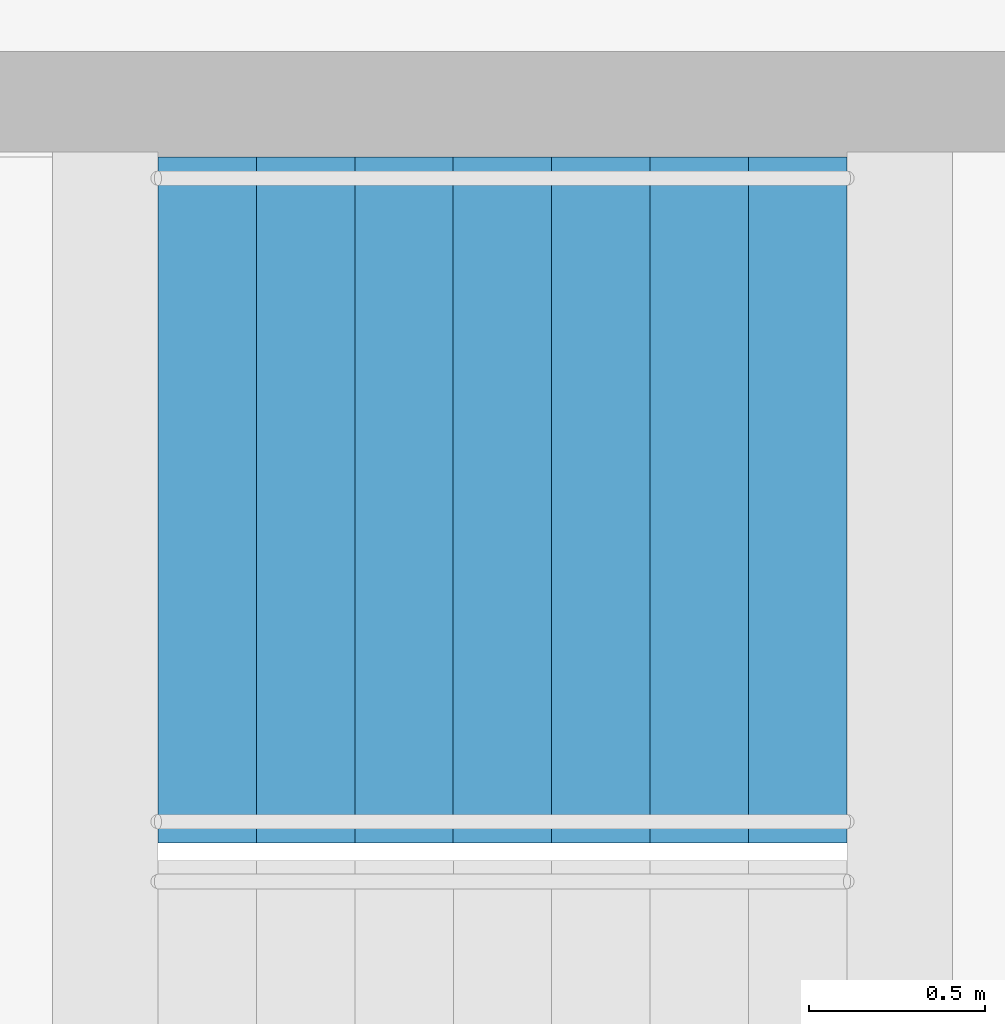
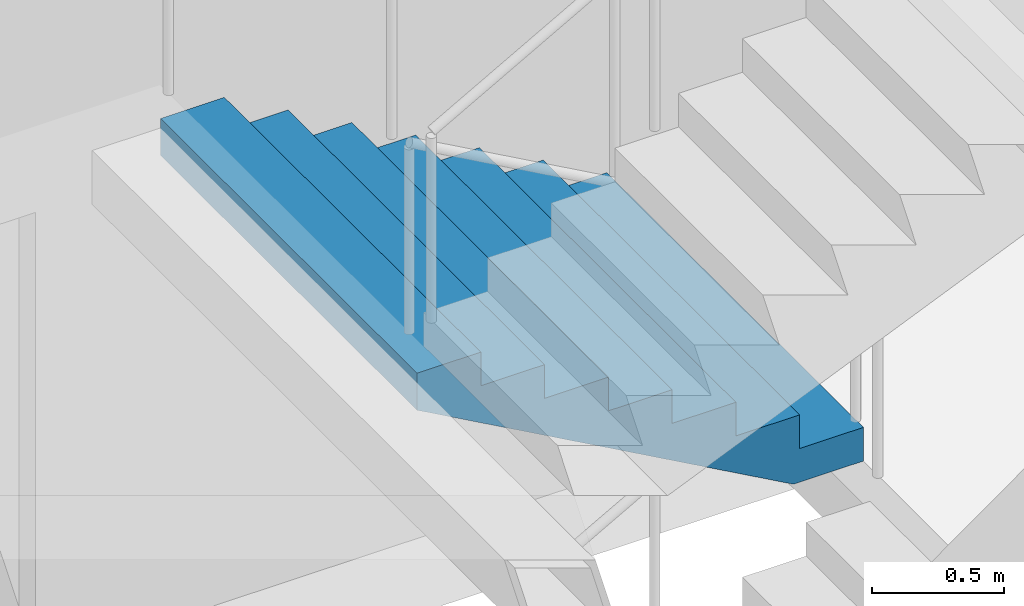
# One storey, part 20 of 26: 1 stair flight, 1 element without a shape of its own.
"""IFC4 building model written with IfcOpenShell, lengths in metres."""

from ifc_helpers import new_model, si_unit, direction, frame, origin, place, context, subcontext, project, spatial, triangles, material, type_object, element, aggregate, save


model = new_model("IFC4")

# Units and contexts
model_context = context("Model", 3, precision=1e-05, world=origin(), true_north=direction((0.0, 1.0)))
body_context = subcontext(model_context, "Body", "Model", "MODEL_VIEW")
ifc_project = project(units=[si_unit("LENGTHUNIT", "METRE"), si_unit("AREAUNIT", "SQUARE_METRE"), si_unit("VOLUMEUNIT", "CUBIC_METRE"), si_unit("PLANEANGLEUNIT", "RADIAN"), si_unit("MASSUNIT", "GRAM", prefix="KILO")], contexts=[model_context])

# Site, building, storey
site_placement = place(None, origin())
site = spatial("IfcSite", under=ifc_project, at=site_placement, CompositionType="ELEMENT")
building_placement = place(site_placement, origin())
building = spatial("IfcBuilding", under=site, at=building_placement, Name="Orbita Commons", CompositionType="ELEMENT")
storey_placement = place(building_placement, frame((0.0, 0.0, 11.0)))
storey = spatial("IfcBuildingStorey", under=building, at=storey_placement, Name="L02", CompositionType="ELEMENT", Elevation=11.0)

# Stair, stair flight
ifc_material_1 = material(Name="Precast concrete C40/50", Category="concrete")
stair_type = type_object("IfcStairType", Name="Exit stair S1 4 flights 8 risers 156", PredefinedType="HALF_TURN_STAIR", material=ifc_material_1)
stair_placement = place(storey_placement, origin())
stair = element("IfcStair", 1, at=stair_placement, inside=storey, type_object=stair_type, Name="Exit stair S1 L02", PredefinedType="HALF_TURN_STAIR")
ifc_material_2 = material(Name="Precast concrete C40/50", Category="concrete")
stair_flight_type = type_object("IfcStairFlightType", Name="Stair flight 8 risers 156 x 280", PredefinedType="STRAIGHT", material=ifc_material_2)
stair_flight_placement = place(storey_placement, frame((22.409912109375, 29.27490234375, 1.25), z_axis=(0.0, 0.0, 1.0), x_axis=(-1.0, 0.0, 0.0)))
stair_flight = element("IfcStairFlight", 2, at=stair_flight_placement, type_object=stair_flight_type, Name="S1 flight 2", NumberOfRisers=8, NumberOfTreads=7, PredefinedType="STRAIGHT", RiserHeight=0.15625, TreadLength=0.28, context=body_context, shape_type="Tessellation", body=[
    triangles([(0.0, 0.974976, 0.0), (0.0, 0.974976, 0.019531), (0.0, 0.81248, 0.019531), (0.0, 0.81248, 0.0), (0.0, 0.649984, 0.019531), (0.0, 0.649984, 0.0), (0.0, 0.487488, 0.019531), (0.0, 0.487488, 0.0), (0.0, 0.324992, 0.019531), (0.0, 0.324992, 0.0), (0.0, 0.162496, 0.019531), (0.0, 0.162496, 0.0), (0.0, 0.0, 0.019531), (0.0, 0.0, 0.0), (0.0, -0.162496, 0.019531), (0.0, -0.162496, 0.0), (0.0, -0.324992, 0.019531), (0.0, -0.324992, 0.0), (0.0, -0.487488, 0.019531), (0.0, -0.487488, 0.0), (0.0, -0.649984, 0.019531), (0.0, -0.649984, 0.0), (0.0, -0.81248, 0.019531), (0.0, -0.81248, 0.0), (0.0, -0.974976, 0.019531), (0.0, -0.974976, 0.0), (0.0, 0.974976, 0.039062), (0.0, 0.81248, 0.039062), (0.0, 0.649984, 0.039062), (0.0, 0.487488, 0.039062), (0.0, 0.324992, 0.039062), (0.0, 0.162496, 0.039062), (0.0, 0.0, 0.039062), (0.0, -0.162496, 0.039062), (0.0, -0.324992, 0.039062), (0.0, -0.487488, 0.039062), (0.0, -0.649984, 0.039062), (0.0, -0.81248, 0.039062), (0.0, -0.974976, 0.039062), (0.0, 0.974976, 0.058594), (0.0, 0.81248, 0.058594), (0.0, 0.649984, 0.058594), (0.0, 0.487488, 0.058594), (0.0, 0.324992, 0.058594), (0.0, 0.162496, 0.058594), (0.0, 0.0, 0.058594), (0.0, -0.162496, 0.058594), (0.0, -0.324992, 0.058594), (0.0, -0.487488, 0.058594), (0.0, -0.649984, 0.058594), (0.0, -0.81248, 0.058594), (0.0, -0.974976, 0.058594), (0.0, 0.974976, 0.078125), (0.0, 0.81248, 0.078125), (0.0, 0.649984, 0.078125), (0.0, 0.487488, 0.078125), (0.0, 0.324992, 0.078125), (0.0, 0.162496, 0.078125), (0.0, 0.0, 0.078125), (0.0, -0.162496, 0.078125), (0.0, -0.324992, 0.078125), (0.0, -0.487488, 0.078125), (0.0, -0.649984, 0.078125), (0.0, -0.81248, 0.078125), (0.0, -0.974976, 0.078125), (0.0, 0.974976, 0.097656), (0.0, 0.81248, 0.097656), (0.0, 0.649984, 0.097656), (0.0, 0.487488, 0.097656), (0.0, 0.324992, 0.097656), (0.0, 0.162496, 0.097656), (0.0, 0.0, 0.097656), (0.0, -0.162496, 0.097656), (0.0, -0.324992, 0.097656), (0.0, -0.487488, 0.097656), (0.0, -0.649984, 0.097656), (0.0, -0.81248, 0.097656), (0.0, -0.974976, 0.097656), (0.0, 0.974976, 0.117188), (0.0, 0.81248, 0.117188), (0.0, 0.649984, 0.117188), (0.0, 0.487488, 0.117188), (0.0, 0.324992, 0.117188), (0.0, 0.162496, 0.117188), (0.0, 0.0, 0.117188), (0.0, -0.162496, 0.117188), (0.0, -0.324992, 0.117188), (0.0, -0.487488, 0.117188), (0.0, -0.649984, 0.117188), (0.0, -0.81248, 0.117188), (0.0, -0.974976, 0.117188), (0.0, 0.974976, 0.136719), (0.0, 0.81248, 0.136719), (0.0, 0.649984, 0.136719), (0.0, 0.487488, 0.136719), (0.0, 0.324992, 0.136719), (0.0, 0.162496, 0.136719), (0.0, 0.0, 0.136719), (0.0, -0.162496, 0.136719), (0.0, -0.324992, 0.136719), (0.0, -0.487488, 0.136719), (0.0, -0.649984, 0.136719), (0.0, -0.81248, 0.136719), (0.0, -0.974976, 0.136719), (0.0, 0.974976, 0.15625), (0.0, 0.81248, 0.15625), (0.0, 0.649984, 0.15625), (0.0, 0.487488, 0.15625), (0.0, 0.324992, 0.15625), (0.0, 0.162496, 0.15625), (0.0, 0.0, 0.15625), (0.0, -0.162496, 0.15625), (0.0, -0.324992, 0.15625), (0.0, -0.487488, 0.15625), (0.0, -0.649984, 0.15625), (0.0, -0.81248, 0.15625), (0.0, -0.974976, 0.15625), (0.28, 0.974976, 0.15625), (0.28, 0.81248, 0.15625), (0.28, 0.649984, 0.15625), (0.28, 0.487488, 0.15625), (0.28, 0.324992, 0.15625), (0.28, 0.162496, 0.15625), (0.28, 0.0, 0.15625), (0.28, -0.162496, 0.15625), (0.28, -0.324992, 0.15625), (0.28, -0.487488, 0.15625), (0.28, -0.649984, 0.15625), (0.28, -0.81248, 0.15625), (0.28, -0.974976, 0.15625), (0.28, 0.974976, 0.3125), (0.28, 0.81248, 0.3125), (0.28, 0.649984, 0.3125), (0.28, 0.487488, 0.3125), (0.28, 0.324992, 0.3125), (0.28, 0.162496, 0.3125), (0.28, 0.0, 0.3125), (0.28, -0.162496, 0.3125), (0.28, -0.324992, 0.3125), (0.28, -0.487488, 0.3125), (0.28, -0.649984, 0.3125), (0.28, -0.81248, 0.3125), (0.28, -0.974976, 0.3125), (0.56, 0.974976, 0.3125), (0.56, 0.81248, 0.3125), (0.56, 0.649984, 0.3125), (0.56, 0.487488, 0.3125), (0.56, 0.324992, 0.3125), (0.56, 0.162496, 0.3125), (0.56, 0.0, 0.3125), (0.56, -0.162496, 0.3125), (0.56, -0.324992, 0.3125), (0.56, -0.487488, 0.3125), (0.56, -0.649984, 0.3125), (0.56, -0.81248, 0.3125), (0.56, -0.974976, 0.3125), (0.56, 0.974976, 0.46875), (0.56, 0.81248, 0.46875), (0.56, 0.649984, 0.46875), (0.56, 0.487488, 0.46875), (0.56, 0.324992, 0.46875), (0.56, 0.162496, 0.46875), (0.56, 0.0, 0.46875), (0.56, -0.162496, 0.46875), (0.56, -0.324992, 0.46875), (0.56, -0.487488, 0.46875), (0.56, -0.649984, 0.46875), (0.56, -0.81248, 0.46875), (0.56, -0.974976, 0.46875), (0.84, 0.974976, 0.46875), (0.84, 0.81248, 0.46875), (0.84, 0.649984, 0.46875), (0.84, 0.487488, 0.46875), (0.84, 0.324992, 0.46875), (0.84, 0.162496, 0.46875), (0.84, 0.0, 0.46875), (0.84, -0.162496, 0.46875), (0.84, -0.324992, 0.46875), (0.84, -0.487488, 0.46875), (0.84, -0.649984, 0.46875), (0.84, -0.81248, 0.46875), (0.84, -0.974976, 0.46875), (0.84, 0.974976, 0.625), (0.84, 0.81248, 0.625), (0.84, 0.649984, 0.625), (0.84, 0.487488, 0.625), (0.84, 0.324992, 0.625), (0.84, 0.162496, 0.625), (0.84, 0.0, 0.625), (0.84, -0.162496, 0.625), (0.84, -0.324992, 0.625), (0.84, -0.487488, 0.625), (0.84, -0.649984, 0.625), (0.84, -0.81248, 0.625), (0.84, -0.974976, 0.625), (1.12, 0.974976, 0.625), (1.12, 0.81248, 0.625), (1.12, 0.649984, 0.625), (1.12, 0.487488, 0.625), (1.12, 0.324992, 0.625), (1.12, 0.162496, 0.625), (1.12, 0.0, 0.625), (1.12, -0.162496, 0.625), (1.12, -0.324992, 0.625), (1.12, -0.487488, 0.625), (1.12, -0.649984, 0.625), (1.12, -0.81248, 0.625), (1.12, -0.974976, 0.625), (1.12, 0.974976, 0.78125), (1.12, 0.81248, 0.78125), (1.12, 0.649984, 0.78125), (1.12, 0.487488, 0.78125), (1.12, 0.324992, 0.78125), (1.12, 0.162496, 0.78125), (1.12, 0.0, 0.78125), (1.12, -0.162496, 0.78125), (1.12, -0.324992, 0.78125), (1.12, -0.487488, 0.78125), (1.12, -0.649984, 0.78125), (1.12, -0.81248, 0.78125), (1.12, -0.974976, 0.78125), (1.4, 0.974976, 0.78125), (1.4, 0.81248, 0.78125), (1.4, 0.649984, 0.78125), (1.4, 0.487488, 0.78125), (1.4, 0.324992, 0.78125), (1.4, 0.162496, 0.78125), (1.4, 0.0, 0.78125), (1.4, -0.162496, 0.78125), (1.4, -0.324992, 0.78125), (1.4, -0.487488, 0.78125), (1.4, -0.649984, 0.78125), (1.4, -0.81248, 0.78125), (1.4, -0.974976, 0.78125), (1.4, 0.974976, 0.9375), (1.4, 0.81248, 0.9375), (1.4, 0.649984, 0.9375), (1.4, 0.487488, 0.9375), (1.4, 0.324992, 0.9375), (1.4, 0.162496, 0.9375), (1.4, 0.0, 0.9375), (1.4, -0.162496, 0.9375), (1.4, -0.324992, 0.9375), (1.4, -0.487488, 0.9375), (1.4, -0.649984, 0.9375), (1.4, -0.81248, 0.9375), (1.4, -0.974976, 0.9375), (1.68, 0.974976, 0.9375), (1.68, 0.81248, 0.9375), (1.68, 0.649984, 0.9375), (1.68, 0.487488, 0.9375), (1.68, 0.324992, 0.9375), (1.68, 0.162496, 0.9375), (1.68, 0.0, 0.9375), (1.68, -0.162496, 0.9375), (1.68, -0.324992, 0.9375), (1.68, -0.487488, 0.9375), (1.68, -0.649984, 0.9375), (1.68, -0.81248, 0.9375), (1.68, -0.974976, 0.9375), (1.68, 0.974976, 1.09375), (1.68, 0.81248, 1.09375), (1.68, 0.649984, 1.09375), (1.68, 0.487488, 1.09375), (1.68, 0.324992, 1.09375), (1.68, 0.162496, 1.09375), (1.68, 0.0, 1.09375), (1.68, -0.162496, 1.09375), (1.68, -0.324992, 1.09375), (1.68, -0.487488, 1.09375), (1.68, -0.649984, 1.09375), (1.68, -0.81248, 1.09375), (1.68, -0.974976, 1.09375), (1.96, 0.974976, 1.09375), (1.96, 0.81248, 1.09375), (1.96, 0.649984, 1.09375), (1.96, 0.487488, 1.09375), (1.96, 0.324992, 1.09375), (1.96, 0.162496, 1.09375), (1.96, 0.0, 1.09375), (1.96, -0.162496, 1.09375), (1.96, -0.324992, 1.09375), (1.96, -0.487488, 1.09375), (1.96, -0.649984, 1.09375), (1.96, -0.81248, 1.09375), (1.96, -0.974976, 1.09375), (1.96, 0.974976, 1.072292), (1.96, 0.81248, 1.072292), (1.96, 0.649984, 1.072292), (1.96, 0.487488, 1.072292), (1.96, 0.324992, 1.072292), (1.96, 0.162496, 1.072292), (1.96, 0.0, 1.072292), (1.96, -0.162496, 1.072292), (1.96, -0.324992, 1.072292), (1.96, -0.487488, 1.072292), (1.96, -0.649984, 1.072292), (1.96, -0.81248, 1.072292), (1.96, -0.974976, 1.072292), (1.96, 0.974976, 1.050834), (1.96, 0.81248, 1.050834), (1.96, 0.649984, 1.050834), (1.96, 0.487488, 1.050834), (1.96, 0.324992, 1.050834), (1.96, 0.162496, 1.050834), (1.96, 0.0, 1.050834), (1.96, -0.162496, 1.050834), (1.96, -0.324992, 1.050834), (1.96, -0.487488, 1.050834), (1.96, -0.649984, 1.050834), (1.96, -0.81248, 1.050834), (1.96, -0.974976, 1.050834), (1.96, 0.974976, 1.029376), (1.96, 0.81248, 1.029376), (1.96, 0.649984, 1.029376), (1.96, 0.487488, 1.029376), (1.96, 0.324992, 1.029376), (1.96, 0.162496, 1.029376), (1.96, 0.0, 1.029376), (1.96, -0.162496, 1.029376), (1.96, -0.324992, 1.029376), (1.96, -0.487488, 1.029376), (1.96, -0.649984, 1.029376), (1.96, -0.81248, 1.029376), (1.96, -0.974976, 1.029376), (1.96, 0.974976, 1.007919), (1.96, 0.81248, 1.007919), (1.96, 0.649984, 1.007919), (1.96, 0.487488, 1.007919), (1.96, 0.324992, 1.007919), (1.96, 0.162496, 1.007919), (1.96, 0.0, 1.007919), (1.96, -0.162496, 1.007919), (1.96, -0.324992, 1.007919), (1.96, -0.487488, 1.007919), (1.96, -0.649984, 1.007919), (1.96, -0.81248, 1.007919), (1.96, -0.974976, 1.007919), (1.96, 0.974976, 0.986461), (1.96, 0.81248, 0.986461), (1.96, 0.649984, 0.986461), (1.96, 0.487488, 0.986461), (1.96, 0.324992, 0.986461), (1.96, 0.162496, 0.986461), (1.96, 0.0, 0.986461), (1.96, -0.162496, 0.986461), (1.96, -0.324992, 0.986461), (1.96, -0.487488, 0.986461), (1.96, -0.649984, 0.986461), (1.96, -0.81248, 0.986461), (1.96, -0.974976, 0.986461), (1.96, 0.974976, 0.965003), (1.96, 0.81248, 0.965003), (1.96, 0.649984, 0.965003), (1.96, 0.487488, 0.965003), (1.96, 0.324992, 0.965003), (1.96, 0.162496, 0.965003), (1.96, 0.0, 0.965003), (1.96, -0.162496, 0.965003), (1.96, -0.324992, 0.965003), (1.96, -0.487488, 0.965003), (1.96, -0.649984, 0.965003), (1.96, -0.81248, 0.965003), (1.96, -0.974976, 0.965003), (1.96, 0.974976, 0.943545), (1.96, 0.81248, 0.943545), (1.96, 0.649984, 0.943545), (1.96, 0.487488, 0.943545), (1.96, 0.324992, 0.943545), (1.96, 0.162496, 0.943545), (1.96, 0.0, 0.943545), (1.96, -0.162496, 0.943545), (1.96, -0.324992, 0.943545), (1.96, -0.487488, 0.943545), (1.96, -0.649984, 0.943545), (1.96, -0.81248, 0.943545), (1.96, -0.974976, 0.943545), (1.96, 0.974976, 0.922087), (1.96, 0.81248, 0.922087), (1.96, 0.649984, 0.922087), (1.96, 0.487488, 0.922087), (1.96, 0.324992, 0.922087), (1.96, 0.162496, 0.922087), (1.96, 0.0, 0.922087), (1.96, -0.162496, 0.922087), (1.96, -0.324992, 0.922087), (1.96, -0.487488, 0.922087), (1.96, -0.649984, 0.922087), (1.96, -0.81248, 0.922087), (1.96, -0.974976, 0.922087), (0.30762, 0.974976, 0.0), (0.30762, 0.81248, 0.0), (0.30762, 0.649984, 0.0), (0.30762, 0.487488, 0.0), (0.30762, 0.324992, 0.0), (0.30762, 0.162496, 0.0), (0.30762, 0.0, 0.0), (0.30762, -0.162496, 0.0), (0.30762, -0.324992, 0.0), (0.30762, -0.487488, 0.0), (0.30762, -0.649984, 0.0), (0.30762, -0.81248, 0.0), (0.30762, -0.974976, 0.0)], [[3, 2, 1], [4, 3, 1], [5, 3, 4], [6, 5, 4], [7, 5, 6], [8, 7, 6], [9, 7, 8], [10, 9, 8], [11, 9, 10], [12, 11, 10], [13, 11, 12], [14, 13, 12], [15, 13, 14], [16, 15, 14], [17, 15, 16], [18, 17, 16], [19, 17, 18], [20, 19, 18], [21, 19, 20], [22, 21, 20], [23, 21, 22], [24, 23, 22], [25, 23, 24], [26, 25, 24], [28, 27, 2], [3, 28, 2], [29, 28, 3], [5, 29, 3], [30, 29, 5], [7, 30, 5], [31, 30, 7], [9, 31, 7], [32, 31, 9], [11, 32, 9], [33, 32, 11], [13, 33, 11], [34, 33, 13], [15, 34, 13], [35, 34, 15], [17, 35, 15], [36, 35, 17], [19, 36, 17], [37, 36, 19], [21, 37, 19], [38, 37, 21], [23, 38, 21], [39, 38, 23], [25, 39, 23], [41, 40, 27], [28, 41, 27], [42, 41, 28], [29, 42, 28], [43, 42, 29], [30, 43, 29], [44, 43, 30], [31, 44, 30], [45, 44, 31], [32, 45, 31], [46, 45, 32], [33, 46, 32], [47, 46, 33], [34, 47, 33], [48, 47, 34], [35, 48, 34], [49, 48, 35], [36, 49, 35], [50, 49, 36], [37, 50, 36], [51, 50, 37], [38, 51, 37], [52, 51, 38], [39, 52, 38], [54, 53, 40], [41, 54, 40], [55, 54, 41], [42, 55, 41], [56, 55, 42], [43, 56, 42], [57, 56, 43], [44, 57, 43], [58, 57, 44], [45, 58, 44], [59, 58, 45], [46, 59, 45], [60, 59, 46], [47, 60, 46], [61, 60, 47], [48, 61, 47], [62, 61, 48], [49, 62, 48], [63, 62, 49], [50, 63, 49], [64, 63, 50], [51, 64, 50], [65, 64, 51], [52, 65, 51], [67, 66, 53], [54, 67, 53], [68, 67, 54], [55, 68, 54], [69, 68, 55], [56, 69, 55], [70, 69, 56], [57, 70, 56], [71, 70, 57], [58, 71, 57], [72, 71, 58], [59, 72, 58], [73, 72, 59], [60, 73, 59], [74, 73, 60], [61, 74, 60], [75, 74, 61], [62, 75, 61], [76, 75, 62], [63, 76, 62], [77, 76, 63], [64, 77, 63], [78, 77, 64], [65, 78, 64], [80, 79, 66], [67, 80, 66], [81, 80, 67], [68, 81, 67], [82, 81, 68], [69, 82, 68], [83, 82, 69], [70, 83, 69], [84, 83, 70], [71, 84, 70], [85, 84, 71], [72, 85, 71], [86, 85, 72], [73, 86, 72], [87, 86, 73], [74, 87, 73], [88, 87, 74], [75, 88, 74], [89, 88, 75], [76, 89, 75], [90, 89, 76], [77, 90, 76], [91, 90, 77], [78, 91, 77], [93, 92, 79], [80, 93, 79], [94, 93, 80], [81, 94, 80], [95, 94, 81], [82, 95, 81], [96, 95, 82], [83, 96, 82], [97, 96, 83], [84, 97, 83], [98, 97, 84], [85, 98, 84], [99, 98, 85], [86, 99, 85], [100, 99, 86], [87, 100, 86], [101, 100, 87], [88, 101, 87], [102, 101, 88], [89, 102, 88], [103, 102, 89], [90, 103, 89], [104, 103, 90], [91, 104, 90], [106, 105, 92], [93, 106, 92], [107, 106, 93], [94, 107, 93], [108, 107, 94], [95, 108, 94], [109, 108, 95], [96, 109, 95], [110, 109, 96], [97, 110, 96], [111, 110, 97], [98, 111, 97], [112, 111, 98], [99, 112, 98], [113, 112, 99], [100, 113, 99], [114, 113, 100], [101, 114, 100], [115, 114, 101], [102, 115, 101], [116, 115, 102], [103, 116, 102], [117, 116, 103], [104, 117, 103], [119, 118, 105], [106, 119, 105], [120, 119, 106], [107, 120, 106], [121, 120, 107], [108, 121, 107], [122, 121, 108], [109, 122, 108], [123, 122, 109], [110, 123, 109], [124, 123, 110], [111, 124, 110], [125, 124, 111], [112, 125, 111], [126, 125, 112], [113, 126, 112], [127, 126, 113], [114, 127, 113], [128, 127, 114], [115, 128, 114], [129, 128, 115], [116, 129, 115], [130, 129, 116], [117, 130, 116], [132, 131, 118], [119, 132, 118], [133, 132, 119], [120, 133, 119], [134, 133, 120], [121, 134, 120], [135, 134, 121], [122, 135, 121], [136, 135, 122], [123, 136, 122], [137, 136, 123], [124, 137, 123], [138, 137, 124], [125, 138, 124], [139, 138, 125], [126, 139, 125], [140, 139, 126], [127, 140, 126], [141, 140, 127], [128, 141, 127], [142, 141, 128], [129, 142, 128], [143, 142, 129], [130, 143, 129], [145, 144, 131], [132, 145, 131], [146, 145, 132], [133, 146, 132], [147, 146, 133], [134, 147, 133], [148, 147, 134], [135, 148, 134], [149, 148, 135], [136, 149, 135], [150, 149, 136], [137, 150, 136], [151, 150, 137], [138, 151, 137], [152, 151, 138], [139, 152, 138], [153, 152, 139], [140, 153, 139], [154, 153, 140], [141, 154, 140], [155, 154, 141], [142, 155, 141], [156, 155, 142], [143, 156, 142], [158, 157, 144], [145, 158, 144], [159, 158, 145], [146, 159, 145], [160, 159, 146], [147, 160, 146], [161, 160, 147], [148, 161, 147], [162, 161, 148], [149, 162, 148], [163, 162, 149], [150, 163, 149], [164, 163, 150], [151, 164, 150], [165, 164, 151], [152, 165, 151], [166, 165, 152], [153, 166, 152], [167, 166, 153], [154, 167, 153], [168, 167, 154], [155, 168, 154], [169, 168, 155], [156, 169, 155], [171, 170, 157], [158, 171, 157], [172, 171, 158], [159, 172, 158], [173, 172, 159], [160, 173, 159], [174, 173, 160], [161, 174, 160], [175, 174, 161], [162, 175, 161], [176, 175, 162], [163, 176, 162], [177, 176, 163], [164, 177, 163], [178, 177, 164], [165, 178, 164], [179, 178, 165], [166, 179, 165], [180, 179, 166], [167, 180, 166], [181, 180, 167], [168, 181, 167], [182, 181, 168], [169, 182, 168], [184, 183, 170], [171, 184, 170], [185, 184, 171], [172, 185, 171], [186, 185, 172], [173, 186, 172], [187, 186, 173], [174, 187, 173], [188, 187, 174], [175, 188, 174], [189, 188, 175], [176, 189, 175], [190, 189, 176], [177, 190, 176], [191, 190, 177], [178, 191, 177], [192, 191, 178], [179, 192, 178], [193, 192, 179], [180, 193, 179], [194, 193, 180], [181, 194, 180], [195, 194, 181], [182, 195, 181], [197, 196, 183], [184, 197, 183], [198, 197, 184], [185, 198, 184], [199, 198, 185], [186, 199, 185], [200, 199, 186], [187, 200, 186], [201, 200, 187], [188, 201, 187], [202, 201, 188], [189, 202, 188], [203, 202, 189], [190, 203, 189], [204, 203, 190], [191, 204, 190], [205, 204, 191], [192, 205, 191], [206, 205, 192], [193, 206, 192], [207, 206, 193], [194, 207, 193], [208, 207, 194], [195, 208, 194], [210, 209, 196], [197, 210, 196], [211, 210, 197], [198, 211, 197], [212, 211, 198], [199, 212, 198], [213, 212, 199], [200, 213, 199], [214, 213, 200], [201, 214, 200], [215, 214, 201], [202, 215, 201], [216, 215, 202], [203, 216, 202], [217, 216, 203], [204, 217, 203], [218, 217, 204], [205, 218, 204], [219, 218, 205], [206, 219, 205], [220, 219, 206], [207, 220, 206], [221, 220, 207], [208, 221, 207], [223, 222, 209], [210, 223, 209], [224, 223, 210], [211, 224, 210], [225, 224, 211], [212, 225, 211], [226, 225, 212], [213, 226, 212], [227, 226, 213], [214, 227, 213], [228, 227, 214], [215, 228, 214], [229, 228, 215], [216, 229, 215], [230, 229, 216], [217, 230, 216], [231, 230, 217], [218, 231, 217], [232, 231, 218], [219, 232, 218], [233, 232, 219], [220, 233, 219], [234, 233, 220], [221, 234, 220], [236, 235, 222], [223, 236, 222], [237, 236, 223], [224, 237, 223], [238, 237, 224], [225, 238, 224], [239, 238, 225], [226, 239, 225], [240, 239, 226], [227, 240, 226], [241, 240, 227], [228, 241, 227], [242, 241, 228], [229, 242, 228], [243, 242, 229], [230, 243, 229], [244, 243, 230], [231, 244, 230], [245, 244, 231], [232, 245, 231], [246, 245, 232], [233, 246, 232], [247, 246, 233], [234, 247, 233], [249, 248, 235], [236, 249, 235], [250, 249, 236], [237, 250, 236], [251, 250, 237], [238, 251, 237], [252, 251, 238], [239, 252, 238], [253, 252, 239], [240, 253, 239], [254, 253, 240], [241, 254, 240], [255, 254, 241], [242, 255, 241], [256, 255, 242], [243, 256, 242], [257, 256, 243], [244, 257, 243], [258, 257, 244], [245, 258, 244], [259, 258, 245], [246, 259, 245], [260, 259, 246], [247, 260, 246], [262, 261, 248], [249, 262, 248], [263, 262, 249], [250, 263, 249], [264, 263, 250], [251, 264, 250], [265, 264, 251], [252, 265, 251], [266, 265, 252], [253, 266, 252], [267, 266, 253], [254, 267, 253], [268, 267, 254], [255, 268, 254], [269, 268, 255], [256, 269, 255], [270, 269, 256], [257, 270, 256], [271, 270, 257], [258, 271, 257], [272, 271, 258], [259, 272, 258], [273, 272, 259], [260, 273, 259], [275, 274, 261], [262, 275, 261], [276, 275, 262], [263, 276, 262], [277, 276, 263], [264, 277, 263], [278, 277, 264], [265, 278, 264], [279, 278, 265], [266, 279, 265], [280, 279, 266], [267, 280, 266], [281, 280, 267], [268, 281, 267], [282, 281, 268], [269, 282, 268], [283, 282, 269], [270, 283, 269], [284, 283, 270], [271, 284, 270], [285, 284, 271], [272, 285, 271], [286, 285, 272], [273, 286, 272], [288, 287, 274], [275, 288, 274], [289, 288, 275], [276, 289, 275], [290, 289, 276], [277, 290, 276], [291, 290, 277], [278, 291, 277], [292, 291, 278], [279, 292, 278], [293, 292, 279], [280, 293, 279], [294, 293, 280], [281, 294, 280], [295, 294, 281], [282, 295, 281], [296, 295, 282], [283, 296, 282], [297, 296, 283], [284, 297, 283], [298, 297, 284], [285, 298, 284], [299, 298, 285], [286, 299, 285], [301, 300, 287], [288, 301, 287], [302, 301, 288], [289, 302, 288], [303, 302, 289], [290, 303, 289], [304, 303, 290], [291, 304, 290], [305, 304, 291], [292, 305, 291], [306, 305, 292], [293, 306, 292], [307, 306, 293], [294, 307, 293], [308, 307, 294], [295, 308, 294], [309, 308, 295], [296, 309, 295], [310, 309, 296], [297, 310, 296], [311, 310, 297], [298, 311, 297], [312, 311, 298], [299, 312, 298], [314, 313, 300], [301, 314, 300], [315, 314, 301], [302, 315, 301], [316, 315, 302], [303, 316, 302], [317, 316, 303], [304, 317, 303], [318, 317, 304], [305, 318, 304], [319, 318, 305], [306, 319, 305], [320, 319, 306], [307, 320, 306], [321, 320, 307], [308, 321, 307], [322, 321, 308], [309, 322, 308], [323, 322, 309], [310, 323, 309], [324, 323, 310], [311, 324, 310], [325, 324, 311], [312, 325, 311], [327, 326, 313], [314, 327, 313], [328, 327, 314], [315, 328, 314], [329, 328, 315], [316, 329, 315], [330, 329, 316], [317, 330, 316], [331, 330, 317], [318, 331, 317], [332, 331, 318], [319, 332, 318], [333, 332, 319], [320, 333, 319], [334, 333, 320], [321, 334, 320], [335, 334, 321], [322, 335, 321], [336, 335, 322], [323, 336, 322], [337, 336, 323], [324, 337, 323], [338, 337, 324], [325, 338, 324], [340, 339, 326], [327, 340, 326], [341, 340, 327], [328, 341, 327], [342, 341, 328], [329, 342, 328], [343, 342, 329], [330, 343, 329], [344, 343, 330], [331, 344, 330], [345, 344, 331], [332, 345, 331], [346, 345, 332], [333, 346, 332], [347, 346, 333], [334, 347, 333], [348, 347, 334], [335, 348, 334], [349, 348, 335], [336, 349, 335], [350, 349, 336], [337, 350, 336], [351, 350, 337], [338, 351, 337], [353, 352, 339], [340, 353, 339], [354, 353, 340], [341, 354, 340], [355, 354, 341], [342, 355, 341], [356, 355, 342], [343, 356, 342], [357, 356, 343], [344, 357, 343], [358, 357, 344], [345, 358, 344], [359, 358, 345], [346, 359, 345], [360, 359, 346], [347, 360, 346], [361, 360, 347], [348, 361, 347], [362, 361, 348], [349, 362, 348], [363, 362, 349], [350, 363, 349], [364, 363, 350], [351, 364, 350], [366, 365, 352], [353, 366, 352], [367, 366, 353], [354, 367, 353], [368, 367, 354], [355, 368, 354], [369, 368, 355], [356, 369, 355], [370, 369, 356], [357, 370, 356], [371, 370, 357], [358, 371, 357], [372, 371, 358], [359, 372, 358], [373, 372, 359], [360, 373, 359], [374, 373, 360], [361, 374, 360], [375, 374, 361], [362, 375, 361], [376, 375, 362], [363, 376, 362], [377, 376, 363], [364, 377, 363], [379, 378, 365], [366, 379, 365], [380, 379, 366], [367, 380, 366], [381, 380, 367], [368, 381, 367], [382, 381, 368], [369, 382, 368], [383, 382, 369], [370, 383, 369], [384, 383, 370], [371, 384, 370], [385, 384, 371], [372, 385, 371], [386, 385, 372], [373, 386, 372], [387, 386, 373], [374, 387, 373], [388, 387, 374], [375, 388, 374], [389, 388, 375], [376, 389, 375], [390, 389, 376], [377, 390, 376], [392, 391, 378], [379, 392, 378], [393, 392, 379], [380, 393, 379], [394, 393, 380], [381, 394, 380], [395, 394, 381], [382, 395, 381], [396, 395, 382], [383, 396, 382], [397, 396, 383], [384, 397, 383], [398, 397, 384], [385, 398, 384], [399, 398, 385], [386, 399, 385], [400, 399, 386], [387, 400, 386], [401, 400, 387], [388, 401, 387], [402, 401, 388], [389, 402, 388], [403, 402, 389], [390, 403, 389], [4, 1, 391], [392, 4, 391], [6, 4, 392], [393, 6, 392], [8, 6, 393], [394, 8, 393], [10, 8, 394], [395, 10, 394], [12, 10, 395], [396, 12, 395], [14, 12, 396], [397, 14, 396], [16, 14, 397], [398, 16, 397], [18, 16, 398], [399, 18, 398], [20, 18, 399], [400, 20, 399], [22, 20, 400], [401, 22, 400], [24, 22, 401], [402, 24, 401], [26, 24, 402], [403, 26, 402], [378, 391, 1], [26, 403, 390], [365, 378, 1], [26, 390, 377], [352, 365, 1], [26, 377, 364], [339, 352, 1], [26, 364, 351], [326, 339, 1], [26, 351, 338], [313, 326, 1], [26, 338, 325], [300, 313, 1], [26, 325, 312], [287, 300, 1], [26, 312, 299], [261, 274, 287], [299, 286, 273], [248, 261, 287], [299, 273, 260], [222, 235, 248], [260, 247, 234], [222, 248, 287], [299, 260, 234], [196, 209, 222], [234, 221, 208], [196, 222, 287], [299, 234, 208], [170, 183, 196], [208, 195, 182], [170, 196, 287], [299, 208, 182], [144, 157, 170], [182, 169, 156], [144, 170, 287], [299, 182, 156], [118, 131, 144], [156, 143, 130], [118, 144, 287], [299, 156, 130], [118, 287, 1], [26, 299, 130], [92, 105, 118], [130, 117, 104], [79, 92, 118], [130, 104, 91], [66, 79, 118], [130, 91, 78], [53, 66, 118], [130, 78, 65], [40, 53, 118], [130, 65, 52], [27, 40, 118], [130, 52, 39], [2, 27, 118], [130, 39, 25], [1, 2, 118], [130, 25, 26]], closed=True),
])
aggregate(stair, [stair_flight])

save(model, "model.ifc")
